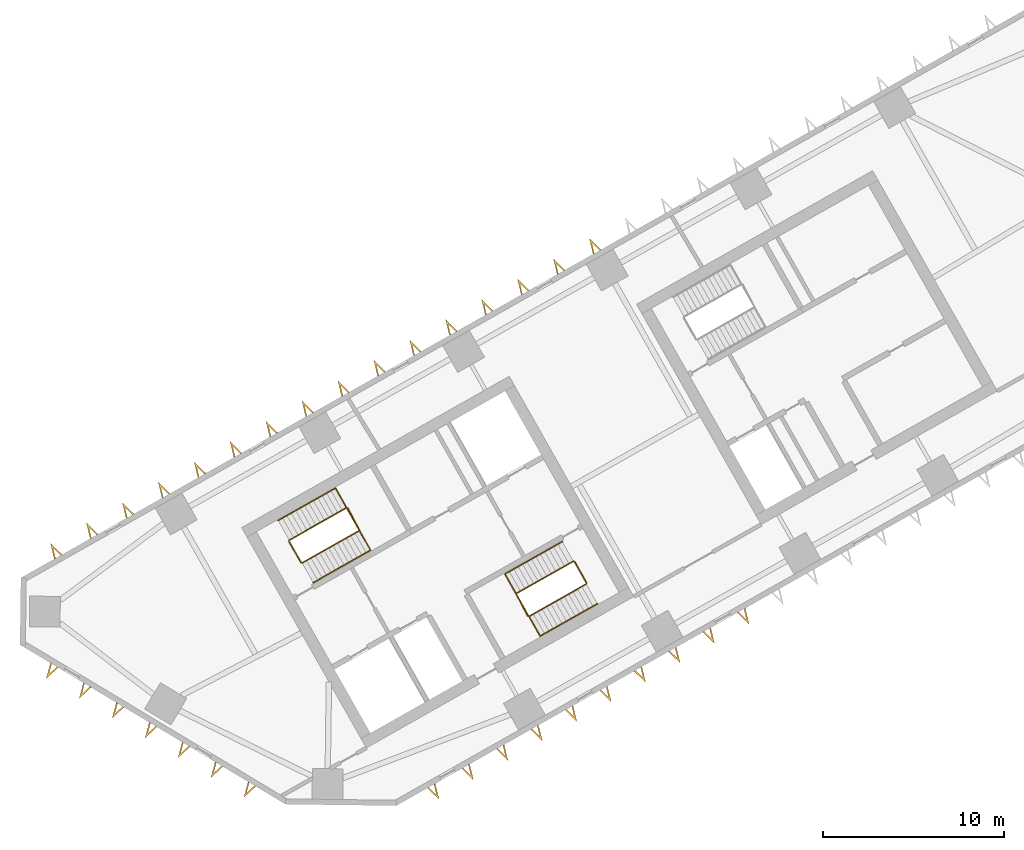
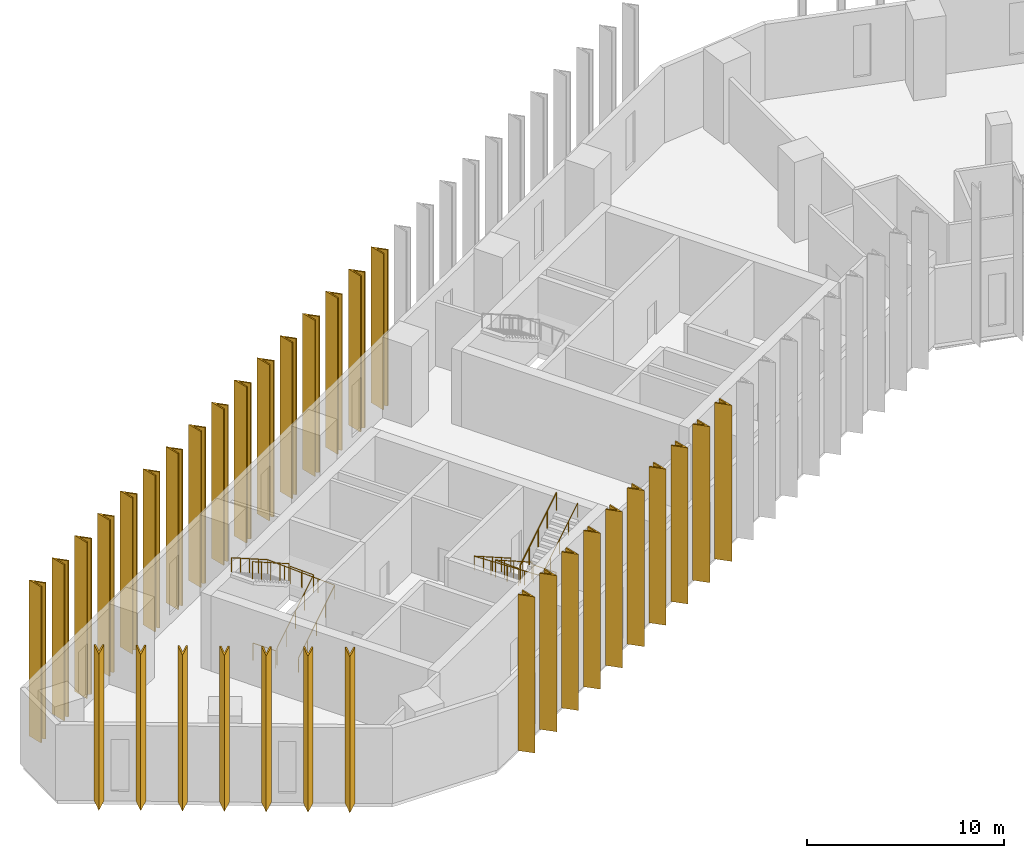
# One storey, part 9 of 11: 33 shading devices, 8 railings.
"""IFC4 building model written with IfcOpenShell, lengths in metres."""

from ifc_helpers import new_model, si_unit, direction, frame, origin, origin_2d, place, context, subcontext, project, spatial, polyline, circle, outline, extrude, material, type_object, element, save


model = new_model("IFC4")

# Units and contexts
model_context = context("Model", 3, precision=1e-05, world=origin(), true_north=direction((0.0, 1.0)))
body_context = subcontext(model_context, "Body", "Model", "MODEL_VIEW")
ifc_project = project(units=[si_unit("LENGTHUNIT", "METRE"), si_unit("AREAUNIT", "SQUARE_METRE"), si_unit("VOLUMEUNIT", "CUBIC_METRE"), si_unit("PLANEANGLEUNIT", "RADIAN"), si_unit("MASSUNIT", "GRAM", prefix="KILO")], contexts=[model_context])

# Site, building, storey
site_placement = place(None, origin())
site = spatial("IfcSite", under=ifc_project, at=site_placement, CompositionType="ELEMENT")
building_placement = place(site_placement, origin())
building = spatial("IfcBuilding", under=site, at=building_placement, Name="Binnacle Exchange Tower", CompositionType="ELEMENT")
storey_placement = place(building_placement, frame((0.0, 0.0, 36.5)))
storey = spatial("IfcBuildingStorey", under=building, at=storey_placement, Name="L07", CompositionType="ELEMENT", Elevation=36.5)

# Railings
ifc_material_1 = material(Name="Steel guard rail", Category="steel")
railing_type_1 = type_object("IfcRailingType", Name="STAIR GUARD 1100", PredefinedType="GUARDRAIL", material=ifc_material_1)
railing_1_placement = place(storey_placement, frame((-43.26171875, 39.71728515625, 0.178466796875)))
element("IfcRailing", 1, at=railing_1_placement, inside=storey, type_object=railing_type_1, Name="L07 STA1 stair guard 1", PredefinedType="GUARDRAIL", context=body_context, shape_type="SweptSolid", body=[
    extrude(circle(Radius=0.02392578125, at=origin_2d()), frame((0.0, 0.0, 1.076171875), z_axis=(0.733795554141, 0.415191658331, 0.537735968274), x_axis=(-0.492450612189, 0.870340390052, 0.0)), (0.0, 0.0, 1.0), 4.317138671875),
    extrude(circle(Radius=0.02392578125, at=origin_2d()), frame((3.16796875, 1.79248046875, 3.3974609375), z_axis=(-0.460963092712, 0.887419307406, 0.0), x_axis=(-0.887419307406, -0.460963092712, 0.0)), (0.0, 0.0, 1.0), 1.40087890625),
    extrude(circle(Radius=0.02099609375, at=origin_2d()), origin(), (0.0, 0.0, 1.0), 1.052001953125),
    extrude(circle(Radius=0.02099609375, at=origin_2d()), frame((0.7919921875, 0.4482421875, 0.580322265625)), (0.0, 0.0, 1.0), 1.052001953125),
    extrude(circle(Radius=0.02099609375, at=origin_2d()), frame((1.583984375, 0.896240234375, 1.16064453125)), (0.0, 0.0, 1.0), 1.052001953125),
    extrude(circle(Radius=0.02099609375, at=origin_2d()), frame((2.3759765625, 1.34423828125, 1.7412109375)), (0.0, 0.0, 1.0), 1.052001953125),
    extrude(circle(Radius=0.02099609375, at=origin_2d()), frame((3.16796875, 1.79248046875, 2.321533203125)), (0.0, 0.0, 1.0), 1.052001953125),
    extrude(circle(Radius=0.02099609375, at=origin_2d()), frame((2.84521484375, 2.4140625, 2.321533203125)), (0.0, 0.0, 1.0), 1.052001953125),
    extrude(circle(Radius=0.02099609375, at=origin_2d()), frame((2.522216796875, 3.03564453125, 2.321533203125)), (0.0, 0.0, 1.0), 1.052001953125),
])
railing_2_placement = place(storey_placement, frame((-40.8076171875, 42.771728515625, 2.678466796875)))
element("IfcRailing", 2, at=railing_2_placement, inside=storey, type_object=railing_type_1, Name="L07 STA1 stair guard 2", PredefinedType="GUARDRAIL", context=body_context, shape_type="SweptSolid", body=[
    extrude(circle(Radius=0.02392578125, at=origin_2d()), frame((0.0, 0.0, 1.076171875), z_axis=(-0.733821652932, -0.415174429824, 0.537713654753), x_axis=(0.492421866095, -0.870356654361, 0.0)), (0.0, 0.0, 1.0), 4.3173828125),
    extrude(circle(Radius=0.02099609375, at=origin_2d()), origin(), (0.0, 0.0, 1.0), 1.052001953125),
    extrude(circle(Radius=0.02099609375, at=origin_2d()), frame((-0.7919921875, -0.4482421875, 0.580322265625)), (0.0, 0.0, 1.0), 1.052001953125),
    extrude(circle(Radius=0.02099609375, at=origin_2d()), frame((-1.583984375, -0.896240234375, 1.16064453125)), (0.0, 0.0, 1.0), 1.052001953125),
    extrude(circle(Radius=0.02099609375, at=origin_2d()), frame((-2.376220703125, -1.34423828125, 1.7412109375)), (0.0, 0.0, 1.0), 1.052001953125),
    extrude(circle(Radius=0.02099609375, at=origin_2d()), frame((-3.168212890625, -1.79248046875, 2.321533203125)), (0.0, 0.0, 1.0), 1.052001953125),
])
railing_3_placement = place(storey_placement, frame((-43.329833984375, 39.736328125, 0.0)))
element("IfcRailing", 3, at=railing_3_placement, inside=storey, type_object=railing_type_1, Name="L07 STA1 stair guard 3", PredefinedType="GUARDRAIL", context=body_context, shape_type="SweptSolid", body=[
    extrude(circle(Radius=0.02392578125, at=origin_2d()), frame((0.0, 0.0, 1.076171875), z_axis=(-0.4924922531, 0.870316827734, 0.0), x_axis=(-0.870316827734, -0.4924922531, 0.0)), (0.0, 0.0, 1.0), 1.349853515625),
    extrude(circle(Radius=0.02099609375, at=origin_2d()), origin(), (0.0, 0.0, 1.0), 1.052001953125),
    extrude(circle(Radius=0.02099609375, at=origin_2d()), frame((-0.33251953125, 0.58740234375, 0.0)), (0.0, 0.0, 1.0), 1.052001953125),
    extrude(circle(Radius=0.02099609375, at=origin_2d()), frame((-0.664794921875, 1.1748046875, 0.0)), (0.0, 0.0, 1.0), 1.052001953125),
])
railing_4_placement = place(storey_placement, frame((-28.265380859375, 39.814453125, 0.178466796875)))
element("IfcRailing", 4, at=railing_4_placement, inside=storey, type_object=railing_type_1, Name="L07 STA2 stair guard 1", PredefinedType="GUARDRAIL", context=body_context, shape_type="SweptSolid", body=[
    extrude(circle(Radius=0.02392578125, at=origin_2d()), frame((0.0, 0.0, 1.076171875), z_axis=(-0.733821652932, -0.415174429824, 0.537713654753), x_axis=(0.492421866095, -0.870356654361, 0.0)), (0.0, 0.0, 1.0), 4.3173828125),
    extrude(circle(Radius=0.02392578125, at=origin_2d()), frame((-3.168212890625, -1.79248046875, 3.3974609375), z_axis=(0.461100321709, -0.887348011391, 0.0), x_axis=(0.887348011391, 0.461100321709, 0.0)), (0.0, 0.0, 1.0), 1.40087890625),
    extrude(circle(Radius=0.02099609375, at=origin_2d()), origin(), (0.0, 0.0, 1.0), 1.052001953125),
    extrude(circle(Radius=0.02099609375, at=origin_2d()), frame((-0.7919921875, -0.4482421875, 0.580322265625)), (0.0, 0.0, 1.0), 1.052001953125),
    extrude(circle(Radius=0.02099609375, at=origin_2d()), frame((-1.583984375, -0.896240234375, 1.16064453125)), (0.0, 0.0, 1.0), 1.052001953125),
    extrude(circle(Radius=0.02099609375, at=origin_2d()), frame((-2.376220703125, -1.34423828125, 1.7412109375)), (0.0, 0.0, 1.0), 1.052001953125),
    extrude(circle(Radius=0.02099609375, at=origin_2d()), frame((-3.168212890625, -1.79248046875, 2.321533203125)), (0.0, 0.0, 1.0), 1.052001953125),
    extrude(circle(Radius=0.02099609375, at=origin_2d()), frame((-2.84521484375, -2.4140625, 2.321533203125)), (0.0, 0.0, 1.0), 1.052001953125),
    extrude(circle(Radius=0.02099609375, at=origin_2d()), frame((-2.522216796875, -3.03564453125, 2.321533203125)), (0.0, 0.0, 1.0), 1.052001953125),
])
railing_5_placement = place(storey_placement, frame((-30.719482421875, 36.760009765625, 2.678466796875)))
element("IfcRailing", 5, at=railing_5_placement, inside=storey, type_object=railing_type_1, Name="L07 STA2 stair guard 2", PredefinedType="GUARDRAIL", context=body_context, shape_type="SweptSolid", body=[
    extrude(circle(Radius=0.02392578125, at=origin_2d()), frame((0.0, 0.0, 1.076171875), z_axis=(0.733795554141, 0.415191658331, 0.537735968274), x_axis=(-0.492450612189, 0.870340390052, 0.0)), (0.0, 0.0, 1.0), 4.317138671875),
    extrude(circle(Radius=0.02099609375, at=origin_2d()), origin(), (0.0, 0.0, 1.0), 1.052001953125),
    extrude(circle(Radius=0.02099609375, at=origin_2d()), frame((0.7919921875, 0.4482421875, 0.580322265625)), (0.0, 0.0, 1.0), 1.052001953125),
    extrude(circle(Radius=0.02099609375, at=origin_2d()), frame((1.583984375, 0.896240234375, 1.16064453125)), (0.0, 0.0, 1.0), 1.052001953125),
    extrude(circle(Radius=0.02099609375, at=origin_2d()), frame((2.3759765625, 1.34423828125, 1.7412109375)), (0.0, 0.0, 1.0), 1.052001953125),
    extrude(circle(Radius=0.02099609375, at=origin_2d()), frame((3.16796875, 1.79248046875, 2.321533203125)), (0.0, 0.0, 1.0), 1.052001953125),
])
railing_6_placement = place(storey_placement, frame((-28.197265625, 39.795654296875, 0.0)))
element("IfcRailing", 6, at=railing_6_placement, inside=storey, type_object=railing_type_1, Name="L07 STA2 stair guard 3", PredefinedType="GUARDRAIL", context=body_context, shape_type="SweptSolid", body=[
    extrude(circle(Radius=0.02392578125, at=origin_2d()), frame((0.0, 0.0, 1.076171875), z_axis=(0.49241474071, -0.870360685654, 0.0), x_axis=(0.870360685654, 0.49241474071, 0.0)), (0.0, 0.0, 1.0), 1.35009765625),
    extrude(circle(Radius=0.02099609375, at=origin_2d()), origin(), (0.0, 0.0, 1.0), 1.052001953125),
    extrude(circle(Radius=0.02099609375, at=origin_2d()), frame((0.33251953125, -0.58740234375, 0.0)), (0.0, 0.0, 1.0), 1.052001953125),
    extrude(circle(Radius=0.02099609375, at=origin_2d()), frame((0.664794921875, -1.175048828125, 0.0)), (0.0, 0.0, 1.0), 1.052001953125),
])
ifc_material_2 = material(Name="Steel handrail", Category="steel")
railing_type_2 = type_object("IfcRailingType", Name="STAIR HANDRAIL 900", PredefinedType="HANDRAIL", material=ifc_material_2)
railing_7_placement = place(storey_placement, frame((-42.646240234375, 38.62939453125, 0.178466796875)))
element("IfcRailing", 7, at=railing_7_placement, inside=storey, type_object=railing_type_2, Name="L07 STA1 stair handrail 1", PredefinedType="HANDRAIL", context=body_context, shape_type="SweptSolid", body=[
    extrude(circle(Radius=0.02392578125, at=origin_2d()), frame((0.0, 0.0, 0.8759765625), z_axis=(0.733821652932, 0.415174429824, 0.537713654753), x_axis=(-0.492421866095, 0.870356654361, 0.0)), (0.0, 0.0, 1.0), 4.3173828125),
    extrude(circle(Radius=0.02392578125, at=origin_2d()), frame((3.168212890625, 1.79248046875, 3.197265625), z_axis=(-0.491985021148, 0.869432866815, 0.045135674003), x_axis=(-0.870319839224, -0.492486931251, 0.0)), (0.0, 0.0, 1.0), 3.9541015625),
    extrude(circle(Radius=0.02392578125, at=origin_2d()), frame((1.222900390625, 5.230224609375, 3.3759765625), z_axis=(-0.733812782489, -0.415144854829, 0.537748593457), x_axis=(0.492399802317, -0.870369137021, 0.0)), (0.0, 0.0, 1.0), 4.317138671875),
    extrude(circle(Radius=0.02099609375, at=origin_2d()), origin(), (0.0, 0.0, 1.0), 0.851806640625),
    extrude(circle(Radius=0.02099609375, at=origin_2d()), frame((0.7919921875, 0.4482421875, 0.580322265625)), (0.0, 0.0, 1.0), 0.851806640625),
    extrude(circle(Radius=0.02099609375, at=origin_2d()), frame((1.583984375, 0.896240234375, 1.16064453125)), (0.0, 0.0, 1.0), 0.851806640625),
    extrude(circle(Radius=0.02099609375, at=origin_2d()), frame((2.376220703125, 1.34423828125, 1.7412109375)), (0.0, 0.0, 1.0), 0.851806640625),
    extrude(circle(Radius=0.02099609375, at=origin_2d()), frame((3.168212890625, 1.79248046875, 2.321533203125)), (0.0, 0.0, 1.0), 0.851806640625),
    extrude(circle(Radius=0.02099609375, at=origin_2d()), frame((2.681884765625, 2.65185546875, 2.3662109375)), (0.0, 0.0, 1.0), 0.851806640625),
    extrude(circle(Radius=0.02099609375, at=origin_2d()), frame((2.195556640625, 3.51123046875, 2.41064453125)), (0.0, 0.0, 1.0), 0.851806640625),
    extrude(circle(Radius=0.02099609375, at=origin_2d()), frame((1.709228515625, 4.370849609375, 2.455322265625)), (0.0, 0.0, 1.0), 0.851806640625),
    extrude(circle(Radius=0.02099609375, at=origin_2d()), frame((1.222900390625, 5.230224609375, 2.5)), (0.0, 0.0, 1.0), 0.851806640625),
    extrude(circle(Radius=0.02099609375, at=origin_2d()), frame((0.430908203125, 4.7822265625, 3.080322265625)), (0.0, 0.0, 1.0), 0.851806640625),
    extrude(circle(Radius=0.02099609375, at=origin_2d()), frame((-0.361083984375, 4.333984375, 3.66064453125)), (0.0, 0.0, 1.0), 0.851806640625),
    extrude(circle(Radius=0.02099609375, at=origin_2d()), frame((-1.153076171875, 3.885986328125, 4.2412109375)), (0.0, 0.0, 1.0), 0.851806640625),
    extrude(circle(Radius=0.02099609375, at=origin_2d()), frame((-1.945068359375, 3.43798828125, 4.821533203125)), (0.0, 0.0, 1.0), 0.851806640625),
])
railing_8_placement = place(storey_placement, frame((-28.880859375, 40.90234375, 0.178466796875)))
element("IfcRailing", 8, at=railing_8_placement, inside=storey, type_object=railing_type_2, Name="L07 STA2 stair handrail 1", PredefinedType="HANDRAIL", context=body_context, shape_type="SweptSolid", body=[
    extrude(circle(Radius=0.02392578125, at=origin_2d()), frame((0.0, 0.0, 0.8759765625), z_axis=(-0.733838880464, -0.415127627455, 0.537726278364), x_axis=(0.492371057291, -0.870385398511, 0.0)), (0.0, 0.0, 1.0), 4.3173828125),
    extrude(circle(Radius=0.02392578125, at=origin_2d()), frame((-3.168212890625, -1.792236328125, 3.197265625), z_axis=(0.491911810019, -0.86947434526, 0.045134621956), x_axis=(0.870361318571, 0.492413622004, 0.0)), (0.0, 0.0, 1.0), 3.9541015625),
    extrude(circle(Radius=0.02392578125, at=origin_2d()), frame((-1.22314453125, -5.230224609375, 3.3759765625), z_axis=(0.733821652932, 0.415174429824, 0.537713654753), x_axis=(-0.492421866095, 0.870356654361, 0.0)), (0.0, 0.0, 1.0), 4.3173828125),
    extrude(circle(Radius=0.02099609375, at=origin_2d()), origin(), (0.0, 0.0, 1.0), 0.851806640625),
    extrude(circle(Radius=0.02099609375, at=origin_2d()), frame((-0.7919921875, -0.447998046875, 0.580322265625)), (0.0, 0.0, 1.0), 0.851806640625),
    extrude(circle(Radius=0.02099609375, at=origin_2d()), frame((-1.583984375, -0.89599609375, 1.16064453125)), (0.0, 0.0, 1.0), 0.851806640625),
    extrude(circle(Radius=0.02099609375, at=origin_2d()), frame((-2.376220703125, -1.34423828125, 1.7412109375)), (0.0, 0.0, 1.0), 0.851806640625),
    extrude(circle(Radius=0.02099609375, at=origin_2d()), frame((-3.168212890625, -1.792236328125, 2.321533203125)), (0.0, 0.0, 1.0), 0.851806640625),
    extrude(circle(Radius=0.02099609375, at=origin_2d()), frame((-2.681884765625, -2.65185546875, 2.3662109375)), (0.0, 0.0, 1.0), 0.851806640625),
    extrude(circle(Radius=0.02099609375, at=origin_2d()), frame((-2.19580078125, -3.51123046875, 2.41064453125)), (0.0, 0.0, 1.0), 0.851806640625),
    extrude(circle(Radius=0.02099609375, at=origin_2d()), frame((-1.70947265625, -4.37060546875, 2.455322265625)), (0.0, 0.0, 1.0), 0.851806640625),
    extrude(circle(Radius=0.02099609375, at=origin_2d()), frame((-1.22314453125, -5.230224609375, 2.5)), (0.0, 0.0, 1.0), 0.851806640625),
    extrude(circle(Radius=0.02099609375, at=origin_2d()), frame((-0.43115234375, -4.7822265625, 3.080322265625)), (0.0, 0.0, 1.0), 0.851806640625),
    extrude(circle(Radius=0.02099609375, at=origin_2d()), frame((0.36083984375, -4.333984375, 3.66064453125)), (0.0, 0.0, 1.0), 0.851806640625),
    extrude(circle(Radius=0.02099609375, at=origin_2d()), frame((1.153076171875, -3.8857421875, 4.2412109375)), (0.0, 0.0, 1.0), 0.851806640625),
    extrude(circle(Radius=0.02099609375, at=origin_2d()), frame((1.945068359375, -3.437744140625, 4.821533203125)), (0.0, 0.0, 1.0), 0.851806640625),
])

# Shading devices
ifc_material_3 = material(Name="Bronze aluminium cladding", Category="aluminium")
shading_device_type = type_object("IfcShadingDeviceType", Name="V FIN 867 DEEP x 9680 HIGH", PredefinedType="USERDEFINED", material=ifc_material_3)
shading_device_1_placement = place(storey_placement, origin())
element("IfcShadingDevice", 9, at=shading_device_1_placement, inside=storey, type_object=shading_device_type, Name="V fin FN-F03-12 L07", ObjectType="FIN", PredefinedType="USERDEFINED", context=body_context, shape_type="SweptSolid", body=[
    extrude(outline(polyline([(-26.7412109375, 57.04296875), (-27.3857421875, 57.67431640625), (-27.176513671875, 56.796630859375), (-27.10400390625, 56.837646484375), (-27.243408203125, 57.423095703125), (-26.813720703125, 57.001953125), (-26.7412109375, 57.04296875)])), origin(), (0.0, 0.0, 1.0), 9.679931640625),
])
shading_device_2_placement = place(storey_placement, origin())
element("IfcShadingDevice", 10, at=shading_device_2_placement, inside=storey, type_object=shading_device_type, Name="V fin FN-F03-13 L07", ObjectType="FIN", PredefinedType="USERDEFINED", context=body_context, shape_type="SweptSolid", body=[
    extrude(outline(polyline([(-28.727783203125, 55.9189453125), (-29.372314453125, 56.55029296875), (-29.162841796875, 55.672607421875), (-29.09033203125, 55.713623046875), (-29.22998046875, 56.299072265625), (-28.80029296875, 55.8779296875), (-28.727783203125, 55.9189453125)])), origin(), (0.0, 0.0, 1.0), 9.679931640625),
])
shading_device_3_placement = place(storey_placement, origin())
element("IfcShadingDevice", 11, at=shading_device_3_placement, inside=storey, type_object=shading_device_type, Name="V fin FN-F03-14 L07", ObjectType="FIN", PredefinedType="USERDEFINED", context=body_context, shape_type="SweptSolid", body=[
    extrude(outline(polyline([(-30.71435546875, 54.794921875), (-31.35888671875, 55.426513671875), (-31.1494140625, 54.548828125), (-31.076904296875, 54.58984375), (-31.216552734375, 55.17529296875), (-30.786865234375, 54.75390625), (-30.71435546875, 54.794921875)])), origin(), (0.0, 0.0, 1.0), 9.679931640625),
])
shading_device_4_placement = place(storey_placement, origin())
element("IfcShadingDevice", 12, at=shading_device_4_placement, inside=storey, type_object=shading_device_type, Name="V fin FN-F03-15 L07", ObjectType="FIN", PredefinedType="USERDEFINED", context=body_context, shape_type="SweptSolid", body=[
    extrude(outline(polyline([(-32.70068359375, 53.6708984375), (-33.34521484375, 54.302490234375), (-33.135986328125, 53.4248046875), (-33.0634765625, 53.4658203125), (-33.203125, 54.05126953125), (-32.773193359375, 53.6298828125), (-32.70068359375, 53.6708984375)])), origin(), (0.0, 0.0, 1.0), 9.679931640625),
])
shading_device_5_placement = place(storey_placement, origin())
element("IfcShadingDevice", 13, at=shading_device_5_placement, inside=storey, type_object=shading_device_type, Name="V fin FN-F03-16 L07", ObjectType="FIN", PredefinedType="USERDEFINED", context=body_context, shape_type="SweptSolid", body=[
    extrude(outline(polyline([(-34.687255859375, 52.547119140625), (-35.331787109375, 53.1787109375), (-35.12255859375, 52.30078125), (-35.050048828125, 52.341796875), (-35.189697265625, 52.92724609375), (-34.759765625, 52.506103515625), (-34.687255859375, 52.547119140625)])), origin(), (0.0, 0.0, 1.0), 9.679931640625),
])
shading_device_6_placement = place(storey_placement, origin())
element("IfcShadingDevice", 14, at=shading_device_6_placement, inside=storey, type_object=shading_device_type, Name="V fin FN-F03-17 L07", ObjectType="FIN", PredefinedType="USERDEFINED", context=body_context, shape_type="SweptSolid", body=[
    extrude(outline(polyline([(-36.673828125, 51.423095703125), (-37.318359375, 52.0546875), (-37.109130859375, 51.177001953125), (-37.03662109375, 51.218017578125), (-37.17626953125, 51.803466796875), (-36.746337890625, 51.382080078125), (-36.673828125, 51.423095703125)])), origin(), (0.0, 0.0, 1.0), 9.679931640625),
])
shading_device_7_placement = place(storey_placement, origin())
element("IfcShadingDevice", 15, at=shading_device_7_placement, inside=storey, type_object=shading_device_type, Name="V fin FN-F03-18 L07", ObjectType="FIN", PredefinedType="USERDEFINED", context=body_context, shape_type="SweptSolid", body=[
    extrude(outline(polyline([(-38.660400390625, 50.29931640625), (-39.304931640625, 50.9306640625), (-39.095703125, 50.052978515625), (-39.023193359375, 50.093994140625), (-39.162841796875, 50.679443359375), (-38.73291015625, 50.25830078125), (-38.660400390625, 50.29931640625)])), origin(), (0.0, 0.0, 1.0), 9.679931640625),
])
shading_device_8_placement = place(storey_placement, origin())
element("IfcShadingDevice", 16, at=shading_device_8_placement, inside=storey, type_object=shading_device_type, Name="V fin FN-F03-19 L07", ObjectType="FIN", PredefinedType="USERDEFINED", context=body_context, shape_type="SweptSolid", body=[
    extrude(outline(polyline([(-40.64697265625, 49.17529296875), (-41.29150390625, 49.806884765625), (-41.082275390625, 48.92919921875), (-41.009765625, 48.97021484375), (-41.1494140625, 49.555419921875), (-40.719482421875, 49.13427734375), (-40.64697265625, 49.17529296875)])), origin(), (0.0, 0.0, 1.0), 9.679931640625),
])
shading_device_9_placement = place(storey_placement, origin())
element("IfcShadingDevice", 17, at=shading_device_9_placement, inside=storey, type_object=shading_device_type, Name="V fin FN-F03-20 L07", ObjectType="FIN", PredefinedType="USERDEFINED", context=body_context, shape_type="SweptSolid", body=[
    extrude(outline(polyline([(-42.633544921875, 48.05126953125), (-43.278076171875, 48.682861328125), (-43.06884765625, 47.80517578125), (-42.996337890625, 47.84619140625), (-43.135986328125, 48.431396484375), (-42.7060546875, 48.01025390625), (-42.633544921875, 48.05126953125)])), origin(), (0.0, 0.0, 1.0), 9.679931640625),
])
shading_device_10_placement = place(storey_placement, origin())
element("IfcShadingDevice", 18, at=shading_device_10_placement, inside=storey, type_object=shading_device_type, Name="V fin FN-F03-21 L07", ObjectType="FIN", PredefinedType="USERDEFINED", context=body_context, shape_type="SweptSolid", body=[
    extrude(outline(polyline([(-44.6201171875, 46.927490234375), (-45.2646484375, 47.558837890625), (-45.055419921875, 46.68115234375), (-44.98291015625, 46.72216796875), (-45.12255859375, 47.3076171875), (-44.692626953125, 46.886474609375), (-44.6201171875, 46.927490234375)])), origin(), (0.0, 0.0, 1.0), 9.679931640625),
])
shading_device_11_placement = place(storey_placement, origin())
element("IfcShadingDevice", 19, at=shading_device_11_placement, inside=storey, type_object=shading_device_type, Name="V fin FN-F03-22 L07", ObjectType="FIN", PredefinedType="USERDEFINED", context=body_context, shape_type="SweptSolid", body=[
    extrude(outline(polyline([(-46.606689453125, 45.803466796875), (-47.251220703125, 46.43505859375), (-47.0419921875, 45.557373046875), (-46.969482421875, 45.598388671875), (-47.10888671875, 46.18359375), (-46.67919921875, 45.762451171875), (-46.606689453125, 45.803466796875)])), origin(), (0.0, 0.0, 1.0), 9.679931640625),
])
shading_device_12_placement = place(storey_placement, origin())
element("IfcShadingDevice", 20, at=shading_device_12_placement, inside=storey, type_object=shading_device_type, Name="V fin FN-F03-23 L07", ObjectType="FIN", PredefinedType="USERDEFINED", context=body_context, shape_type="SweptSolid", body=[
    extrude(outline(polyline([(-48.59326171875, 44.679443359375), (-49.23779296875, 45.31103515625), (-49.028564453125, 44.433349609375), (-48.9560546875, 44.474365234375), (-49.095703125, 45.059814453125), (-48.665771484375, 44.638427734375), (-48.59326171875, 44.679443359375)])), origin(), (0.0, 0.0, 1.0), 9.679931640625),
])
shading_device_13_placement = place(storey_placement, origin())
element("IfcShadingDevice", 21, at=shading_device_13_placement, inside=storey, type_object=shading_device_type, Name="V fin FN-F03-24 L07", ObjectType="FIN", PredefinedType="USERDEFINED", context=body_context, shape_type="SweptSolid", body=[
    extrude(outline(polyline([(-50.579833984375, 43.5556640625), (-51.224365234375, 44.18701171875), (-51.014892578125, 43.309326171875), (-50.9423828125, 43.350341796875), (-51.08203125, 43.935791015625), (-50.65234375, 43.5146484375), (-50.579833984375, 43.5556640625)])), origin(), (0.0, 0.0, 1.0), 9.679931640625),
])
shading_device_14_placement = place(storey_placement, origin())
element("IfcShadingDevice", 22, at=shading_device_14_placement, inside=storey, type_object=shading_device_type, Name="V fin FN-F03-25 L07", ObjectType="FIN", PredefinedType="USERDEFINED", context=body_context, shape_type="SweptSolid", body=[
    extrude(outline(polyline([(-52.56640625, 42.431640625), (-53.2109375, 43.063232421875), (-53.001708984375, 42.185546875), (-52.92919921875, 42.2265625), (-53.068603515625, 42.81201171875), (-52.638916015625, 42.390625), (-52.56640625, 42.431640625)])), origin(), (0.0, 0.0, 1.0), 9.679931640625),
])
shading_device_15_placement = place(storey_placement, origin())
element("IfcShadingDevice", 23, at=shading_device_15_placement, inside=storey, type_object=shading_device_type, Name="V fin FN-F03-26 L07", ObjectType="FIN", PredefinedType="USERDEFINED", context=body_context, shape_type="SweptSolid", body=[
    extrude(outline(polyline([(-54.552978515625, 41.3076171875), (-55.197509765625, 41.939208984375), (-54.98828125, 41.0615234375), (-54.915771484375, 41.1025390625), (-55.055419921875, 41.68798828125), (-54.62548828125, 41.2666015625), (-54.552978515625, 41.3076171875)])), origin(), (0.0, 0.0, 1.0), 9.679931640625),
])
shading_device_16_placement = place(storey_placement, origin())
element("IfcShadingDevice", 24, at=shading_device_16_placement, inside=storey, type_object=shading_device_type, Name="V fin FN-F03-27 L07", ObjectType="FIN", PredefinedType="USERDEFINED", context=body_context, shape_type="SweptSolid", body=[
    extrude(outline(polyline([(-56.53955078125, 40.183837890625), (-57.18408203125, 40.815185546875), (-56.974609375, 39.9375), (-56.902099609375, 39.978515625), (-57.041748046875, 40.56396484375), (-56.612060546875, 40.142822265625), (-56.53955078125, 40.183837890625)])), origin(), (0.0, 0.0, 1.0), 9.679931640625),
])
shading_device_17_placement = place(storey_placement, origin())
element("IfcShadingDevice", 25, at=shading_device_17_placement, inside=storey, type_object=shading_device_type, Name="V fin FN-F05-01 L07", ObjectType="FIN", PredefinedType="USERDEFINED", context=body_context, shape_type="SweptSolid", body=[
    extrude(outline(polyline([(-57.18603515625, 34.185791015625), (-57.418212890625, 33.31396484375), (-56.757568359375, 33.92822265625), (-56.828857421875, 33.97119140625), (-57.26953125, 33.561279296875), (-57.11474609375, 34.14306640625), (-57.18603515625, 34.185791015625)])), origin(), (0.0, 0.0, 1.0), 9.679931640625),
])
shading_device_18_placement = place(storey_placement, origin())
element("IfcShadingDevice", 26, at=shading_device_18_placement, inside=storey, type_object=shading_device_type, Name="V fin FN-F05-02 L07", ObjectType="FIN", PredefinedType="USERDEFINED", context=body_context, shape_type="SweptSolid", body=[
    extrude(outline(polyline([(-55.364501953125, 33.09130859375), (-55.5966796875, 32.219482421875), (-54.93603515625, 32.833740234375), (-55.00732421875, 32.876708984375), (-55.447998046875, 32.466796875), (-55.293212890625, 33.048583984375), (-55.364501953125, 33.09130859375)])), origin(), (0.0, 0.0, 1.0), 9.679931640625),
])
shading_device_19_placement = place(storey_placement, origin())
element("IfcShadingDevice", 27, at=shading_device_19_placement, inside=storey, type_object=shading_device_type, Name="V fin FN-F05-03 L07", ObjectType="FIN", PredefinedType="USERDEFINED", context=body_context, shape_type="SweptSolid", body=[
    extrude(outline(polyline([(-53.543212890625, 31.9970703125), (-53.775390625, 31.125), (-53.114501953125, 31.739501953125), (-53.185791015625, 31.7822265625), (-53.626708984375, 31.37255859375), (-53.4716796875, 31.9541015625), (-53.543212890625, 31.9970703125)])), origin(), (0.0, 0.0, 1.0), 9.679931640625),
])
shading_device_20_placement = place(storey_placement, origin())
element("IfcShadingDevice", 28, at=shading_device_20_placement, inside=storey, type_object=shading_device_type, Name="V fin FN-F05-04 L07", ObjectType="FIN", PredefinedType="USERDEFINED", context=body_context, shape_type="SweptSolid", body=[
    extrude(outline(polyline([(-51.7216796875, 30.902587890625), (-51.953857421875, 30.030517578125), (-51.29296875, 30.64501953125), (-51.364501953125, 30.687744140625), (-51.80517578125, 30.278076171875), (-51.650146484375, 30.859619140625), (-51.7216796875, 30.902587890625)])), origin(), (0.0, 0.0, 1.0), 9.679931640625),
])
shading_device_21_placement = place(storey_placement, origin())
element("IfcShadingDevice", 29, at=shading_device_21_placement, inside=storey, type_object=shading_device_type, Name="V fin FN-F05-05 L07", ObjectType="FIN", PredefinedType="USERDEFINED", context=body_context, shape_type="SweptSolid", body=[
    extrude(outline(polyline([(-49.900146484375, 29.80810546875), (-50.13232421875, 28.93603515625), (-49.4716796875, 29.55029296875), (-49.54296875, 29.59326171875), (-49.983642578125, 29.18359375), (-49.828857421875, 29.76513671875), (-49.900146484375, 29.80810546875)])), origin(), (0.0, 0.0, 1.0), 9.679931640625),
])
shading_device_22_placement = place(storey_placement, origin())
element("IfcShadingDevice", 30, at=shading_device_22_placement, inside=storey, type_object=shading_device_type, Name="V fin FN-F05-06 L07", ObjectType="FIN", PredefinedType="USERDEFINED", context=body_context, shape_type="SweptSolid", body=[
    extrude(outline(polyline([(-48.07861328125, 28.713623046875), (-48.310791015625, 27.841552734375), (-47.650146484375, 28.4560546875), (-47.721435546875, 28.498779296875), (-48.162109375, 28.089111328125), (-48.00732421875, 28.670654296875), (-48.07861328125, 28.713623046875)])), origin(), (0.0, 0.0, 1.0), 9.679931640625),
])
shading_device_23_placement = place(storey_placement, origin())
element("IfcShadingDevice", 31, at=shading_device_23_placement, inside=storey, type_object=shading_device_type, Name="V fin FN-F05-07 L07", ObjectType="FIN", PredefinedType="USERDEFINED", context=body_context, shape_type="SweptSolid", body=[
    extrude(outline(polyline([(-46.257080078125, 27.619140625), (-46.489501953125, 26.7470703125), (-45.82861328125, 27.361572265625), (-45.89990234375, 27.404296875), (-46.3408203125, 26.99462890625), (-46.185791015625, 27.576171875), (-46.257080078125, 27.619140625)])), origin(), (0.0, 0.0, 1.0), 9.679931640625),
])
shading_device_24_placement = place(storey_placement, origin())
element("IfcShadingDevice", 32, at=shading_device_24_placement, inside=storey, type_object=shading_device_type, Name="V fin FN-F07-01 L07", ObjectType="FIN", PredefinedType="USERDEFINED", context=body_context, shape_type="SweptSolid", body=[
    extrude(outline(polyline([(-36.336669921875, 27.269287109375), (-35.692138671875, 26.637939453125), (-35.901611328125, 27.515625), (-35.97412109375, 27.474609375), (-35.83447265625, 26.88916015625), (-36.26416015625, 27.310302734375), (-36.336669921875, 27.269287109375)])), origin(), (0.0, 0.0, 1.0), 9.679931640625),
])
shading_device_25_placement = place(storey_placement, origin())
element("IfcShadingDevice", 33, at=shading_device_25_placement, inside=storey, type_object=shading_device_type, Name="V fin FN-F07-02 L07", ObjectType="FIN", PredefinedType="USERDEFINED", context=body_context, shape_type="SweptSolid", body=[
    extrude(outline(polyline([(-34.431640625, 28.34716796875), (-33.787109375, 27.715576171875), (-33.99658203125, 28.59326171875), (-34.069091796875, 28.55224609375), (-33.929443359375, 27.966796875), (-34.359130859375, 28.38818359375), (-34.431640625, 28.34716796875)])), origin(), (0.0, 0.0, 1.0), 9.679931640625),
])
shading_device_26_placement = place(storey_placement, origin())
element("IfcShadingDevice", 34, at=shading_device_26_placement, inside=storey, type_object=shading_device_type, Name="V fin FN-F07-03 L07", ObjectType="FIN", PredefinedType="USERDEFINED", context=body_context, shape_type="SweptSolid", body=[
    extrude(outline(polyline([(-32.52685546875, 29.4248046875), (-31.88232421875, 28.79345703125), (-32.091796875, 29.671142578125), (-32.164306640625, 29.630126953125), (-32.024658203125, 29.044677734375), (-32.454345703125, 29.4658203125), (-32.52685546875, 29.4248046875)])), origin(), (0.0, 0.0, 1.0), 9.679931640625),
])
shading_device_27_placement = place(storey_placement, origin())
element("IfcShadingDevice", 35, at=shading_device_27_placement, inside=storey, type_object=shading_device_type, Name="V fin FN-F07-04 L07", ObjectType="FIN", PredefinedType="USERDEFINED", context=body_context, shape_type="SweptSolid", body=[
    extrude(outline(polyline([(-30.6220703125, 30.502685546875), (-29.9775390625, 29.87109375), (-30.186767578125, 30.748779296875), (-30.25927734375, 30.707763671875), (-30.11962890625, 30.122314453125), (-30.549560546875, 30.543701171875), (-30.6220703125, 30.502685546875)])), origin(), (0.0, 0.0, 1.0), 9.679931640625),
])
shading_device_28_placement = place(storey_placement, origin())
element("IfcShadingDevice", 36, at=shading_device_28_placement, inside=storey, type_object=shading_device_type, Name="V fin FN-F07-05 L07", ObjectType="FIN", PredefinedType="USERDEFINED", context=body_context, shape_type="SweptSolid", body=[
    extrude(outline(polyline([(-28.717041015625, 31.580322265625), (-28.072509765625, 30.94873046875), (-28.281982421875, 31.826416015625), (-28.3544921875, 31.785400390625), (-28.21484375, 31.2001953125), (-28.64453125, 31.621337890625), (-28.717041015625, 31.580322265625)])), origin(), (0.0, 0.0, 1.0), 9.679931640625),
])
shading_device_29_placement = place(storey_placement, origin())
element("IfcShadingDevice", 37, at=shading_device_29_placement, inside=storey, type_object=shading_device_type, Name="V fin FN-F07-06 L07", ObjectType="FIN", PredefinedType="USERDEFINED", context=body_context, shape_type="SweptSolid", body=[
    extrude(outline(polyline([(-26.812255859375, 32.658203125), (-26.167724609375, 32.026611328125), (-26.376953125, 32.904296875), (-26.449462890625, 32.86328125), (-26.309814453125, 32.27783203125), (-26.73974609375, 32.69921875), (-26.812255859375, 32.658203125)])), origin(), (0.0, 0.0, 1.0), 9.679931640625),
])
shading_device_30_placement = place(storey_placement, origin())
element("IfcShadingDevice", 38, at=shading_device_30_placement, inside=storey, type_object=shading_device_type, Name="V fin FN-F07-07 L07", ObjectType="FIN", PredefinedType="USERDEFINED", context=body_context, shape_type="SweptSolid", body=[
    extrude(outline(polyline([(-24.9072265625, 33.73583984375), (-24.2626953125, 33.104248046875), (-24.47216796875, 33.98193359375), (-24.544677734375, 33.94091796875), (-24.405029296875, 33.355712890625), (-24.834716796875, 33.77685546875), (-24.9072265625, 33.73583984375)])), origin(), (0.0, 0.0, 1.0), 9.679931640625),
])
shading_device_31_placement = place(storey_placement, origin())
element("IfcShadingDevice", 39, at=shading_device_31_placement, inside=storey, type_object=shading_device_type, Name="V fin FN-F07-08 L07", ObjectType="FIN", PredefinedType="USERDEFINED", context=body_context, shape_type="SweptSolid", body=[
    extrude(outline(polyline([(-23.00244140625, 34.8134765625), (-22.35791015625, 34.181884765625), (-22.567138671875, 35.059814453125), (-22.6396484375, 35.018798828125), (-22.5, 34.433349609375), (-22.929931640625, 34.8544921875), (-23.00244140625, 34.8134765625)])), origin(), (0.0, 0.0, 1.0), 9.679931640625),
])
shading_device_32_placement = place(storey_placement, origin())
element("IfcShadingDevice", 40, at=shading_device_32_placement, inside=storey, type_object=shading_device_type, Name="V fin FN-F07-09 L07", ObjectType="FIN", PredefinedType="USERDEFINED", context=body_context, shape_type="SweptSolid", body=[
    extrude(outline(polyline([(-21.097412109375, 35.891357421875), (-20.452880859375, 35.259765625), (-20.662353515625, 36.137451171875), (-20.73486328125, 36.096435546875), (-20.59521484375, 35.510986328125), (-21.02490234375, 35.932373046875), (-21.097412109375, 35.891357421875)])), origin(), (0.0, 0.0, 1.0), 9.679931640625),
])
shading_device_33_placement = place(storey_placement, origin())
element("IfcShadingDevice", 41, at=shading_device_33_placement, inside=storey, type_object=shading_device_type, Name="V fin FN-F07-10 L07", ObjectType="FIN", PredefinedType="USERDEFINED", context=body_context, shape_type="SweptSolid", body=[
    extrude(outline(polyline([(-19.192626953125, 36.968994140625), (-18.548095703125, 36.33740234375), (-18.75732421875, 37.215087890625), (-18.829833984375, 37.17431640625), (-18.690185546875, 36.5888671875), (-19.1201171875, 37.010009765625), (-19.192626953125, 36.968994140625)])), origin(), (0.0, 0.0, 1.0), 9.679931640625),
])

save(model, "model.ifc")
